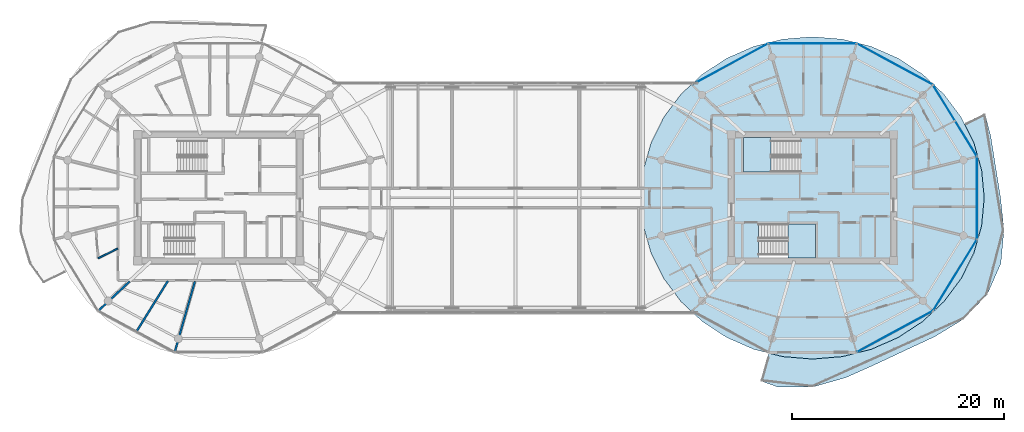
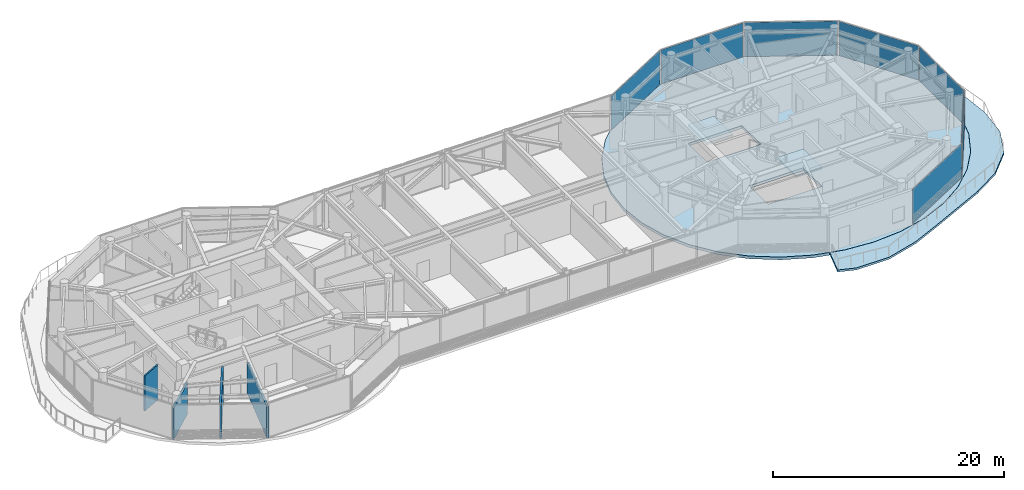
# One storey, part 12 of 24: 7 plates, 4 slabs, 4 walls, 9 elements without a shape of their own.
"""IFC4 building model written with IfcOpenShell, lengths in metres."""

from ifc_helpers import new_model, si_unit, direction, frame, frame_2d, origin, origin_2d, place, context, subcontext, project, spatial, polyline, rectangle, outline, extrude, source, transform, mapped, material, layer, layer_set, type_object, type_shapes, element, aggregate, save


model = new_model("IFC4")

# Units and contexts
model_context = context("Model", 3, precision=1e-05, world=origin(), true_north=direction((0.0, 1.0)))
body_context = subcontext(model_context, "Body", "Model", "MODEL_VIEW")
ifc_project = project(units=[si_unit("LENGTHUNIT", "METRE"), si_unit("AREAUNIT", "SQUARE_METRE"), si_unit("VOLUMEUNIT", "CUBIC_METRE"), si_unit("PLANEANGLEUNIT", "RADIAN"), si_unit("MASSUNIT", "GRAM", prefix="KILO")], contexts=[model_context])

# Site, building, storey
site_placement = place(None, origin())
site = spatial("IfcSite", under=ifc_project, at=site_placement, CompositionType="ELEMENT")
building_placement = place(site_placement, origin())
building = spatial("IfcBuilding", under=site, at=building_placement, Name="Norrkilde Senior Care Towers", CompositionType="ELEMENT")
storey_placement = place(building_placement, frame((0.0, 0.0, 203.800048828125)))
storey = spatial("IfcBuildingStorey", under=building, at=storey_placement, Name="L63", CompositionType="ELEMENT", Elevation=203.800048828125)

# Slabs
ifc_material_1 = material(Name="Concrete C50/60", Category="concrete")
ifc_layer_1 = layer(ifc_material_1, 0.2900390625)
ifc_layer_set_1 = layer_set([ifc_layer_1], Name="Concrete C50/60")
slab_type_1 = type_object("IfcSlabType", Name="Bridge Floor Slab 290", PredefinedType="FLOOR", material=ifc_layer_set_1)
slab_1_placement = place(storey_placement, frame((0.0, 0.0, -0.2900390625)))
element("IfcSlab", 1, at=slab_1_placement, inside=storey, type_object=slab_type_1, Name="L63 Drum E Structural Floor Slab", PredefinedType="FLOOR", context=body_context, shape_type="SweptSolid", body=[
    extrude(outline(polyline([(43.222900390625, -5.19873046875), (42.029541015625, -7.60009765625), (40.409912109375, -9.770263671875), (38.4130859375, -11.643798828125), (36.10009765625, -13.16357421875), (33.540771484375, -14.283447265625), (30.81298828125, -14.968994140625), (28.0, -15.199951171875), (25.18701171875, -14.968994140625), (22.459228515625, -14.283447265625), (19.89990234375, -13.16357421875), (17.5869140625, -11.643798828125), (15.590087890625, -9.770263671875), (13.970458984375, -7.60009765625), (12.777099609375, -5.19873046875), (12.046142578125, -2.639404296875), (11.800048828125, 0.0), (12.046142578125, 2.639404296875), (12.777099609375, 5.19873046875), (13.970458984375, 7.60009765625), (15.590087890625, 9.770263671875), (17.5869140625, 11.643798828125), (19.89990234375, 13.16357421875), (22.459228515625, 14.283447265625), (25.18701171875, 14.968994140625), (28.0, 15.199951171875), (30.81298828125, 14.968994140625), (33.540771484375, 14.283447265625), (36.10009765625, 13.16357421875), (38.4130859375, 11.643798828125), (40.409912109375, 9.770263671875), (42.029541015625, 7.60009765625), (43.222900390625, 5.19873046875), (43.953857421875, 2.639404296875), (44.199951171875, 0.0), (43.953857421875, -2.639404296875), (43.222900390625, -5.19873046875)]), holes=[polyline([(21.51806640625, 2.468017578125), (26.882080078125, 2.468017578125), (26.882080078125, 5.68994140625), (21.51806640625, 5.68994140625), (21.51806640625, 2.468017578125)]), polyline([(28.281982421875, -5.68994140625), (28.281982421875, -2.468017578125), (22.91796875, -2.468017578125), (22.91796875, -5.68994140625), (28.281982421875, -5.68994140625)])]), origin(), (0.0, 0.0, 1.0), 0.2900390625),
])
ifc_layer_2 = layer(ifc_material_1, 0.215087890625)
ifc_layer_set_2 = layer_set([ifc_layer_2], Name="Concrete C50/60")
slab_type_2 = type_object("IfcSlabType", Name="Sinusoidal Balcony Ribbon Slab 215", PredefinedType="FLOOR", material=ifc_layer_set_2)
slab_2_placement = place(storey_placement, frame((0.0, 0.0, -0.215087890625)))
element("IfcSlab", 2, at=slab_2_placement, inside=storey, type_object=slab_type_2, Name="L63 Drum E Swirling Senior Balcony 1", PredefinedType="FLOOR", context=body_context, shape_type="SweptSolid", body=[
    extrude(outline(polyline([(42.26513671875, -11.429443359375), (39.548095703125, -13.08544921875), (36.760986328125, -14.384033203125), (34.01513671875, -15.67236328125), (31.142333984375, -16.959228515625), (28.0, -17.843505859375), (24.713623046875, -17.829833984375), (23.150634765625, -17.282470703125), (23.889892578125, -14.648193359375), (25.18603515625, -14.97412109375), (28.0, -15.205078125), (30.81396484375, -14.97412109375), (33.54248046875, -14.2880859375), (36.1025390625, -13.16796875), (38.416259765625, -11.647705078125), (40.413818359375, -9.773681640625), (42.033935546875, -7.6025390625), (43.227783203125, -5.200439453125), (43.958740234375, -2.640380859375), (44.205078125, 0.0), (43.958740234375, 2.640380859375), (43.227783203125, 5.200439453125), (42.34375, 6.979248046875), (44.27978515625, 7.92138671875), (44.8212890625, 5.818603515625), (45.2880859375, 2.89013671875), (45.7490234375, 0.0), (46.06884765625, -3.036865234375), (45.7734375, -6.18798828125), (44.485107421875, -9.11083984375), (42.26513671875, -11.429443359375)])), origin(), (0.0, 0.0, 1.0), 0.215087890625),
])

# Stair, slab
ifc_material_2 = material(Name="Concrete C45/55", Category="concrete")
stair_type = type_object("IfcStairType", Name="Core Protected Dogleg Stair Bridge 4000", PredefinedType="HALF_TURN_STAIR", material=ifc_material_2)
stair_1_placement = place(storey_placement, origin())
stair_1 = element("IfcStair", 3, at=stair_1_placement, inside=storey, type_object=stair_type, Name="L63 Protected Core Stair E1", PredefinedType="HALF_TURN_STAIR")
ifc_layer_3 = layer(ifc_material_2, 0.199951171875)
ifc_layer_set_3 = layer_set([ifc_layer_3], Name="Concrete C45/55")
slab_type_3 = type_object("IfcSlabType", Name="Stair Landing Slab 200", PredefinedType="LANDING", material=ifc_layer_set_3)
slab_3_placement = place(storey_placement, frame((0.0, 0.0, 1.800048828125)))
slab_3 = element("IfcSlab", 4, at=slab_3_placement, type_object=slab_type_3, Name="ST-E1 landing 1", PredefinedType="LANDING", context=body_context, shape_type="SweptSolid", body=[
    extrude(outline(polyline([(24.10009765625, 5.68994140625), (21.5, 5.68994140625), (21.5, 2.449951171875), (24.10009765625, 2.449951171875), (24.10009765625, 5.68994140625)])), origin(), (0.0, 0.0, 1.0), 0.199951171875),
])
aggregate(stair_1, [slab_3])

stair_2_placement = place(storey_placement, origin())
stair_2 = element("IfcStair", 5, at=stair_2_placement, inside=storey, type_object=stair_type, Name="L63 Protected Core Stair E2", PredefinedType="HALF_TURN_STAIR")
slab_4_placement = place(storey_placement, frame((0.0, 0.0, 1.800048828125)))
slab_4 = element("IfcSlab", 6, at=slab_4_placement, type_object=slab_type_3, Name="ST-E2 landing 1", PredefinedType="LANDING", context=body_context, shape_type="SweptSolid", body=[
    extrude(outline(polyline([(25.699951171875, -5.68994140625), (28.300048828125, -5.68994140625), (28.300048828125, -2.449951171875), (25.699951171875, -2.449951171875), (25.699951171875, -5.68994140625)])), origin(), (0.0, 0.0, 1.0), 0.199951171875),
])
aggregate(stair_2, [slab_4])

# Curtain wall, plate
ifc_material_3 = material(Name="Triple Low-E Insulated Glazing", Category="glass")
ifc_layer_4 = layer(ifc_material_3, 0.18505859375)
ifc_layer_set_4 = layer_set([ifc_layer_4], Name="Triple Low-E Insulated Glazing")
curtain_wall_type = type_object("IfcCurtainWallType", Name="CW6 Zone 4 Crown Pavilion Curtain Wall", PredefinedType="NOTDEFINED", material=ifc_layer_set_4)
curtain_wall_1_placement = place(storey_placement, origin())
curtain_wall_1 = element("IfcCurtainWall", 7, at=curtain_wall_1_placement, inside=storey, type_object=curtain_wall_type, Name="L63 Drum E Curtain Wall 01", PredefinedType="NOTDEFINED")
ifc_layer_5 = layer(ifc_material_3, 0.035888671875)
ifc_layer_set_5 = layer_set([ifc_layer_5], Name="Triple Low-E Insulated Glazing")
plate_type = type_object("IfcPlateType", Name="Triple Low-E Vision Curtain Panel 36", PredefinedType="CURTAIN_PANEL", material=ifc_layer_set_5)
shared_shape_1 = source(origin(), body_context, "Body", "SweptSolid", [
    extrude(rectangle(XDim=8.0673828125, YDim=0.035888671875, at=origin_2d()), origin(), (0.0, 0.0, 1.0), 3.590087890625),
])
plate_1_placement = place(storey_placement, frame((35.76611328125, 12.61474609375, 0.06005859375), z_axis=(0.0, 0.0, 1.0), x_axis=(0.879373455772, -0.476132676136, 0.0)))
plate_1 = element("IfcPlate", 8, at=plate_1_placement, type_object=plate_type, Name="CW-6 panel 1.1", PredefinedType="CURTAIN_PANEL", context=body_context, shape_type="MappedRepresentation", body=[
    mapped(shared_shape_1, transform((0.0, 0.0, 0.0), x_axis=(1.0, 0.0, 0.0), y_axis=(0.0, 1.0, 0.0), z_axis=(0.0, 0.0, 1.0), scale=1.0)),
])
aggregate(curtain_wall_1, [plate_1])

curtain_wall_2_placement = place(storey_placement, origin())
curtain_wall_2 = element("IfcCurtainWall", 9, at=curtain_wall_2_placement, inside=storey, type_object=curtain_wall_type, Name="L63 Drum E Curtain Wall 03", PredefinedType="NOTDEFINED")
plate_2_placement = place(storey_placement, frame((20.23388671875, 12.61474609375, 0.06005859375), z_axis=(0.0, 0.0, 1.0), x_axis=(0.879373455772, 0.476132676136, 0.0)))
plate_2 = element("IfcPlate", 10, at=plate_2_placement, type_object=plate_type, Name="CW-6 panel 1.1", PredefinedType="CURTAIN_PANEL", context=body_context, shape_type="MappedRepresentation", body=[
    mapped(shared_shape_1, transform((0.0, 0.0, 0.0), x_axis=(1.0, 0.0, 0.0), y_axis=(0.0, 1.0, 0.0), z_axis=(0.0, 0.0, 1.0), scale=1.0)),
])
aggregate(curtain_wall_2, [plate_2])

curtain_wall_3_placement = place(storey_placement, origin())
curtain_wall_3 = element("IfcCurtainWall", 11, at=curtain_wall_3_placement, inside=storey, type_object=curtain_wall_type, Name="L63 Drum E Curtain Wall 09", PredefinedType="NOTDEFINED")
plate_3_placement = place(storey_placement, frame((35.76611328125, -12.61474609375, 0.06005859375), z_axis=(0.0, 0.0, 1.0), x_axis=(-0.879373455772, -0.476132676136, 0.0)))
plate_3 = element("IfcPlate", 12, at=plate_3_placement, type_object=plate_type, Name="CW-6 panel 1.1", PredefinedType="CURTAIN_PANEL", context=body_context, shape_type="MappedRepresentation", body=[
    mapped(shared_shape_1, transform((0.0, 0.0, 0.0), x_axis=(1.0, 0.0, 0.0), y_axis=(0.0, 1.0, 0.0), z_axis=(0.0, 0.0, 1.0), scale=1.0)),
])
aggregate(curtain_wall_3, [plate_3])

curtain_wall_4_placement = place(storey_placement, origin())
curtain_wall_4 = element("IfcCurtainWall", 13, at=curtain_wall_4_placement, inside=storey, type_object=curtain_wall_type, Name="L63 Drum E Curtain Wall 02", PredefinedType="NOTDEFINED")
shared_shape_2 = source(origin(), body_context, "Body", "SweptSolid", [
    extrude(rectangle(XDim=8.193603515625, YDim=0.035888671875, at=origin_2d()), origin(), (0.0, 0.0, 1.0), 3.590087890625),
])
plate_4_placement = place(storey_placement, frame((28.0, 14.566162109375, 0.06005859375), z_axis=(0.0, 0.0, 1.0), x_axis=(1.0, 0.0, 0.0)))
plate_4 = element("IfcPlate", 14, at=plate_4_placement, type_object=plate_type, Name="CW-6 panel 1.1", PredefinedType="CURTAIN_PANEL", context=body_context, shape_type="MappedRepresentation", body=[
    mapped(shared_shape_2, transform((0.0, 0.0, 0.0), x_axis=(1.0, 0.0, 0.0), y_axis=(0.0, 1.0, 0.0), z_axis=(0.0, 0.0, 1.0), scale=1.0)),
])
aggregate(curtain_wall_4, [plate_4])

curtain_wall_5_placement = place(storey_placement, origin())
curtain_wall_5 = element("IfcCurtainWall", 15, at=curtain_wall_5_placement, inside=storey, type_object=curtain_wall_type, Name="L63 Drum E Curtain Wall 11", PredefinedType="NOTDEFINED")
shared_shape_3 = source(origin(), body_context, "Body", "SweptSolid", [
    extrude(rectangle(XDim=7.676025390625, YDim=0.035888671875, at=origin_2d()), origin(), (0.0, 0.0, 1.0), 3.590087890625),
])
plate_5_placement = place(storey_placement, frame((43.531982421875, 0.0, 0.06005859375), z_axis=(0.0, 0.0, 1.0), x_axis=(0.0, -1.0, 0.0)))
plate_5 = element("IfcPlate", 16, at=plate_5_placement, type_object=plate_type, Name="CW-6 panel 1.1", PredefinedType="CURTAIN_PANEL", context=body_context, shape_type="MappedRepresentation", body=[
    mapped(shared_shape_3, transform((0.0, 0.0, 0.0), x_axis=(1.0, 0.0, 0.0), y_axis=(0.0, 1.0, 0.0), z_axis=(0.0, 0.0, 1.0), scale=1.0)),
])
aggregate(curtain_wall_5, [plate_5])

curtain_wall_6_placement = place(storey_placement, origin())
curtain_wall_6 = element("IfcCurtainWall", 17, at=curtain_wall_6_placement, inside=storey, type_object=curtain_wall_type, Name="L63 Drum E Curtain Wall 00", PredefinedType="NOTDEFINED")
shared_shape_4 = source(origin(), body_context, "Body", "SweptSolid", [
    extrude(rectangle(XDim=7.80859375, YDim=0.035888671875, at=origin_2d()), origin(), (0.0, 0.0, 1.0), 3.590087890625),
])
type_shapes(plate_type, [shared_shape_1, shared_shape_2, shared_shape_3, shared_shape_4])
plate_6_placement = place(storey_placement, frame((41.451171875, 7.282958984375, 0.06005859375), z_axis=(0.0, 0.0, 1.0), x_axis=(0.524252726748, -0.851562727283, 0.0)))
plate_6 = element("IfcPlate", 18, at=plate_6_placement, type_object=plate_type, Name="CW-6 panel 1.1", PredefinedType="CURTAIN_PANEL", context=body_context, shape_type="MappedRepresentation", body=[
    mapped(shared_shape_4, transform((0.0, 0.0, 0.0), x_axis=(1.0, 0.0, 0.0), y_axis=(0.0, 1.0, 0.0), z_axis=(0.0, 0.0, 1.0), scale=1.0)),
])
aggregate(curtain_wall_6, [plate_6])

curtain_wall_7_placement = place(storey_placement, origin())
curtain_wall_7 = element("IfcCurtainWall", 19, at=curtain_wall_7_placement, inside=storey, type_object=curtain_wall_type, Name="L63 Drum E Curtain Wall 10", PredefinedType="NOTDEFINED")
plate_7_placement = place(storey_placement, frame((41.451171875, -7.282958984375, 0.06005859375), z_axis=(0.0, 0.0, 1.0), x_axis=(-0.524252726748, -0.851562727283, 0.0)))
plate_7 = element("IfcPlate", 20, at=plate_7_placement, type_object=plate_type, Name="CW-6 panel 1.1", PredefinedType="CURTAIN_PANEL", context=body_context, shape_type="MappedRepresentation", body=[
    mapped(shared_shape_4, transform((0.0, 0.0, 0.0), x_axis=(1.0, 0.0, 0.0), y_axis=(0.0, 1.0, 0.0), z_axis=(0.0, 0.0, 1.0), scale=1.0)),
])
aggregate(curtain_wall_7, [plate_7])

# Walls
ifc_material_4 = material(Name="Gypsum Acoustic Board")
ifc_layer_6 = layer(ifc_material_4, 0.18994140625)
ifc_layer_set_6 = layer_set([ifc_layer_6], Name="Gypsum Acoustic Board")
wall_type_1 = type_object("IfcWallType", Name="Unit Demising Acoustic Wall 190", PredefinedType="PARTITIONING", material=ifc_layer_set_6)
shared_shape_5 = source(origin(), body_context, "Body", "SweptSolid", [
    extrude(rectangle(XDim=4.089111328125, YDim=0.18994140625, at=frame_2d((2.04443359375, 0.0))), origin(), (0.0, 0.0, 1.0), 3.294921875),
])
wall_1_placement = place(storey_placement, frame((-36.40185546875, -7.8798828125, 0.0), z_axis=(0.0, 0.0, 1.0), x_axis=(-0.729401273609, -0.684086092577, 0.0)))
element("IfcWall", 21, at=wall_1_placement, inside=storey, type_object=wall_type_1, Name="WL-INT-L63-W-DEM-07-0", PredefinedType="PARTITIONING", context=body_context, shape_type="MappedRepresentation", body=[
    mapped(shared_shape_5, transform((0.0, 0.0, 0.0), x_axis=(1.0, 0.0, 0.0), y_axis=(0.0, 1.0, 0.0), z_axis=(0.0, 0.0, 1.0), scale=1.0)),
])
shared_shape_6 = source(origin(), body_context, "Body", "SweptSolid", [
    extrude(rectangle(XDim=5.65185546875, YDim=0.18994140625, at=frame_2d((2.825927734375, 0.0))), origin(), (0.0, 0.0, 1.0), 3.695068359375),
])
wall_2_placement = place(storey_placement, frame((-32.7939453125, -7.830078125, 0.0), z_axis=(0.0, 0.0, 1.0), x_axis=(-0.527566076956, -0.84951399897, 0.0)))
element("IfcWall", 22, at=wall_2_placement, inside=storey, type_object=wall_type_1, Name="WL-INT-L63-W-MID-07", PredefinedType="PARTITIONING", context=body_context, shape_type="MappedRepresentation", body=[
    mapped(shared_shape_6, transform((0.0, 0.0, 0.0), x_axis=(1.0, 0.0, 0.0), y_axis=(0.0, 1.0, 0.0), z_axis=(0.0, 0.0, 1.0), scale=1.0)),
])
ifc_layer_7 = layer(ifc_material_4, 0.139892578125)
ifc_layer_set_7 = layer_set([ifc_layer_7], Name="Gypsum Acoustic Board")
wall_type_2 = type_object("IfcWallType", Name="En-suite Wet Room Wall 140", PredefinedType="PARTITIONING", material=ifc_layer_set_7)
shared_shape_7 = source(origin(), body_context, "Body", "SweptSolid", [
    extrude(rectangle(XDim=2.059814453125, YDim=0.139892578125, at=frame_2d((1.02978515625, 0.0))), origin(), (0.0, 0.0, 1.0), 3.695068359375),
])
type_shapes(wall_type_2, [shared_shape_7])
wall_3_placement = place(storey_placement, frame((-37.530029296875, -4.7783203125, 0.0), z_axis=(0.0, 0.0, 1.0), x_axis=(-0.893952568722, -0.448161583444, 0.0)))
element("IfcWall", 23, at=wall_3_placement, inside=storey, type_object=wall_type_2, Name="WL-INT-L63-W-ES-06", PredefinedType="PARTITIONING", context=body_context, shape_type="MappedRepresentation", body=[
    mapped(shared_shape_7, transform((0.0, 0.0, 0.0), x_axis=(1.0, 0.0, 0.0), y_axis=(0.0, 1.0, 0.0), z_axis=(0.0, 0.0, 1.0), scale=1.0)),
])
shared_shape_8 = source(origin(), body_context, "Body", "SweptSolid", [
    extrude(rectangle(XDim=6.973876953125, YDim=0.18994140625, at=frame_2d((3.48681640625, 0.0))), origin(), (0.0, 0.0, 1.0), 3.294921875),
])
type_shapes(wall_type_1, [shared_shape_5, shared_shape_6, shared_shape_8])
wall_4_placement = place(storey_placement, frame((-30.251220703125, -7.8798828125, 0.0), z_axis=(0.0, 0.0, 1.0), x_axis=(-0.274707256801, -0.961527910703, 0.0)))
element("IfcWall", 24, at=wall_4_placement, inside=storey, type_object=wall_type_1, Name="WL-INT-L63-W-DEM-08-0", PredefinedType="PARTITIONING", context=body_context, shape_type="MappedRepresentation", body=[
    mapped(shared_shape_8, transform((0.0, 0.0, 0.0), x_axis=(1.0, 0.0, 0.0), y_axis=(0.0, 1.0, 0.0), z_axis=(0.0, 0.0, 1.0), scale=1.0)),
])

save(model, "model.ifc")
